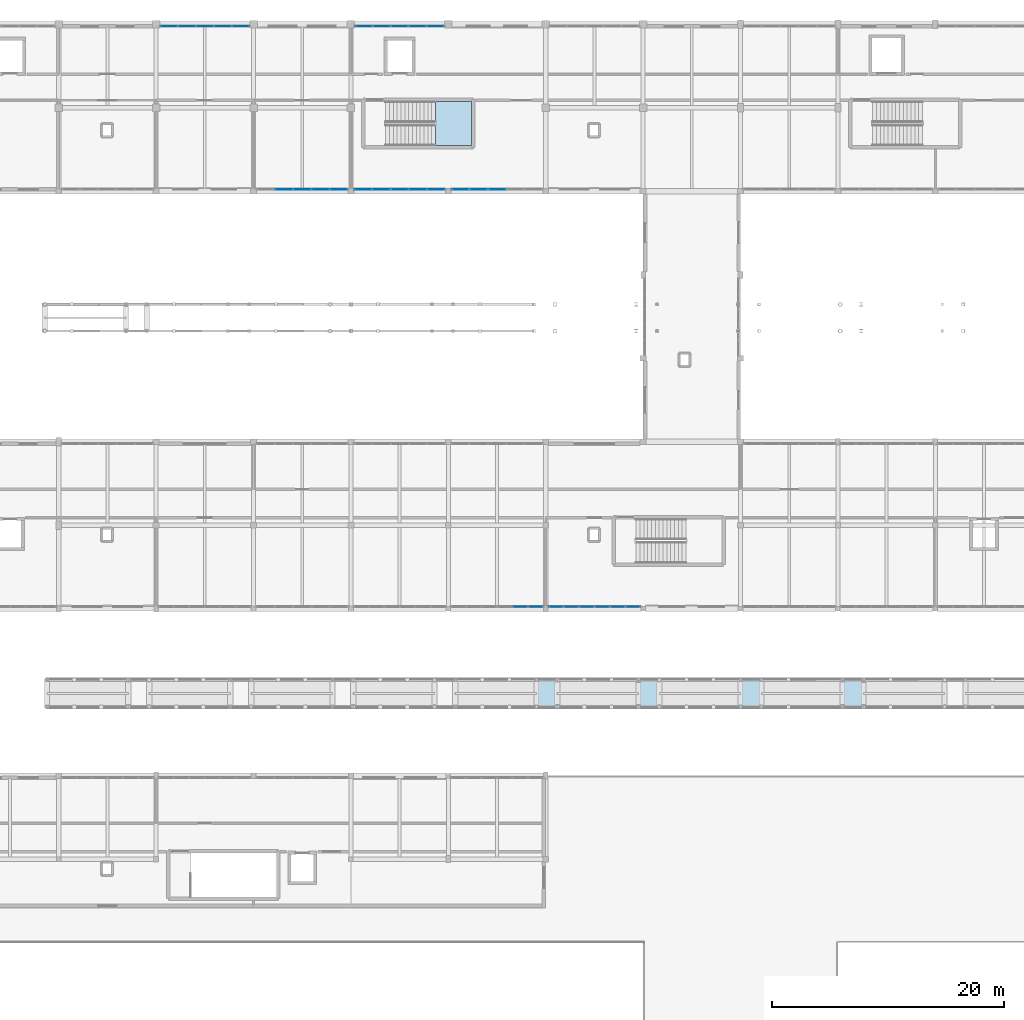
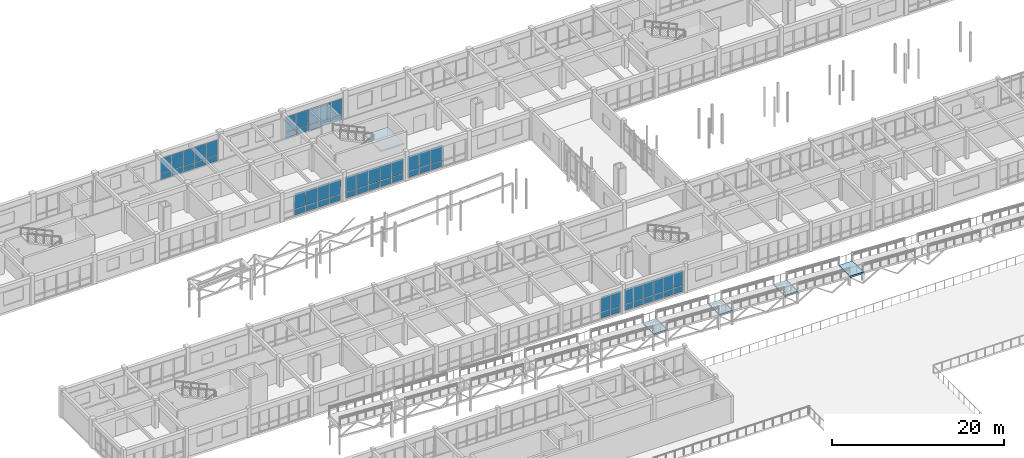
# One storey, part 64 of 89: 60 plates, 5 slabs, 9 elements without a shape of their own.
"""IFC4 building model written with IfcOpenShell, lengths in metres."""

import ifcopenshell
import ifcopenshell.guid

model = None  # the IFC model being written
_history = None  # IfcOwnerHistory: only IFC2X3 demands one
_inside = {}  # id of a spatial element -> (the spatial element, [elements in it])
_under = {}  # id of a project, library or spatial element -> (it, [spatial elements below it])
_declared = {}  # id of a project -> (the project, [libraries it declares])
_typed = {}  # id of a type object -> (the type object, [elements of that type])
_made_of = {}  # id of a material, layer set ... -> (it, [elements and type objects made of it])


def new_model(schema):
    """Start an empty IFC model of exactly this schema.

    Asked for "IFC4X3", IfcOpenShell would pick the latest addendum, in which some entities
    have other attributes; the version numbers below select the first issue.
    IFC2X3 requires an IfcOwnerHistory on every rooted entity: one is made here for all.
    """
    global model, _history
    if schema == "IFC4X3":
        model = ifcopenshell.file(schema_version=(4, 3, 0, 0))
    else:
        model = ifcopenshell.file(schema=schema)
    _inside.clear()
    _under.clear()
    _declared.clear()
    _typed.clear()
    _made_of.clear()
    _history = None
    if model.schema == "IFC2X3":
        org = make("IfcOrganization", Name="unknown")
        user = make(
            "IfcPersonAndOrganization",
            ThePerson=make("IfcPerson", FamilyName="unknown"),
            TheOrganization=org,
        )
        app = make(
            "IfcApplication",
            ApplicationDeveloper=org,
            Version="unknown",
            ApplicationFullName="unknown",
            ApplicationIdentifier="unknown",
        )
        _history = make(
            "IfcOwnerHistory",
            OwningUser=user,
            OwningApplication=app,
            ChangeAction="ADDED",
            CreationDate=0,
        )
    return model


def make(cls, **values):
    """One entity of the class cls with the attributes given. An attribute that is None is left unset."""
    return model.create_entity(
        cls, **{name: value for name, value in values.items() if value is not None}
    )


def rooted(cls, **values):
    """An entity with a GlobalId (a new one), such as an element, a storey or a relation."""
    return make(cls, GlobalId=ifcopenshell.guid.new(), OwnerHistory=_history, **values)


def si_unit(unit_type, name, prefix=None):
    """IfcSIUnit, for example si_unit("LENGTHUNIT", "METRE", prefix="MILLI")."""
    return make("IfcSIUnit", UnitType=unit_type, Prefix=prefix, Name=name)


def assignment(units):
    """IfcUnitAssignment: the units of a project."""
    return None if units is None else make("IfcUnitAssignment", Units=units)


def point(xyz):
    """IfcCartesianPoint."""
    return None if xyz is None else make("IfcCartesianPoint", Coordinates=xyz)


def direction(xyz):
    """IfcDirection."""
    return None if xyz is None else make("IfcDirection", DirectionRatios=xyz)


def frame(location, z_axis=None, x_axis=None):
    """IfcAxis2Placement3D, a coordinate frame: its origin and axes. An axis left out is left unset."""
    return make(
        "IfcAxis2Placement3D",
        Location=point(location),
        Axis=direction(z_axis),
        RefDirection=direction(x_axis),
    )


def frame_2d(location, x_axis=None):
    """IfcAxis2Placement2D, a coordinate frame in the plane: its origin and x axis."""
    return make(
        "IfcAxis2Placement2D", Location=point(location), RefDirection=direction(x_axis)
    )


def origin():
    """The frame at (0, 0, 0) with its axes left unset."""
    return frame((0.0, 0.0, 0.0))


def origin_2d():
    """The frame at (0, 0) in the plane with its x axis left unset."""
    return frame_2d((0.0, 0.0))


def place(relative_to, where):
    """IfcLocalPlacement: puts the frame where relative to a parent placement (None: the world)."""
    return make(
        "IfcLocalPlacement", PlacementRelTo=relative_to, RelativePlacement=where
    )


def context(
    kind, dimensions, precision=None, world=None, true_north=None, identifier=None
):
    """IfcGeometricRepresentationContext, for example the 3D "Model" context."""
    return make(
        "IfcGeometricRepresentationContext",
        ContextIdentifier=identifier,
        ContextType=kind,
        CoordinateSpaceDimension=dimensions,
        Precision=precision,
        WorldCoordinateSystem=world,
        TrueNorth=true_north,
    )


def subcontext(parent, identifier, kind, view, scale=None):
    """IfcGeometricRepresentationSubContext, for example "Body" below "Model"."""
    return make(
        "IfcGeometricRepresentationSubContext",
        ContextIdentifier=identifier,
        ContextType=kind,
        ParentContext=parent,
        TargetScale=scale,
        TargetView=view,
    )


def project(units=None, contexts=None):
    """IfcProject with its units and contexts."""
    return rooted(
        "IfcProject",
        Name="project",
        RepresentationContexts=contexts,
        UnitsInContext=assignment(units),
    )


def spatial(cls, under=None, at=None, **own):
    """A site, building, storey or space (cls), placed at a placement, below another one or the project."""
    s = rooted(cls, ObjectPlacement=at, **own)
    if under is not None:
        _under.setdefault(under.id(), (under, []))[1].append(s)
    return s


def polyline(points):
    """IfcPolyline through the points."""
    return make("IfcPolyline", Points=[point(p) for p in points])


def profile(cls, at=None, kind="AREA", **sizes):
    """A parametric profile (cls). Its sizes go by their IFC names, for example OverallWidth=200.0."""
    return make(cls, ProfileType=kind, Position=at, **sizes)


def rectangle(**sizes):
    """IfcRectangleProfileDef."""
    return profile("IfcRectangleProfileDef", **sizes)


def outline(outer, holes=None, kind="AREA"):
    """IfcArbitraryClosedProfileDef: a profile drawn as a closed curve; with holes, ...WithVoids."""
    if holes is None:
        return make("IfcArbitraryClosedProfileDef", ProfileType=kind, OuterCurve=outer)
    return make(
        "IfcArbitraryProfileDefWithVoids",
        ProfileType=kind,
        OuterCurve=outer,
        InnerCurves=holes,
    )


def extrude(swept, where, along, depth):
    """IfcExtrudedAreaSolid: the profile swept, set in the frame where, extruded along a direction by depth."""
    return make(
        "IfcExtrudedAreaSolid",
        SweptArea=swept,
        Position=where,
        ExtrudedDirection=direction(along),
        Depth=depth,
    )


def shape(context_of_items, identifier, shape_type, items):
    """IfcShapeRepresentation: the items that make up one representation, for example the "Body"."""
    return make(
        "IfcShapeRepresentation",
        ContextOfItems=context_of_items,
        RepresentationIdentifier=identifier,
        RepresentationType=shape_type,
        Items=items,
    )


def material(Name=None, Category=None):
    """IfcMaterial."""
    return make("IfcMaterial", Name=Name, Category=Category)


def layer(
    of_material, thickness, ventilated=None, Name=None, Category=None, Priority=None
):
    """IfcMaterialLayer: one layer of a wall or slab, of a material (None: an air gap)."""
    return make(
        "IfcMaterialLayer",
        Material=of_material,
        LayerThickness=thickness,
        IsVentilated=ventilated,
        Name=Name,
        Category=Category,
        Priority=Priority,
    )


def layer_set(layers, Name=None):
    """IfcMaterialLayerSet."""
    return make("IfcMaterialLayerSet", MaterialLayers=layers, LayerSetName=Name)


def made_of(thing, what):
    """Note that an element or type object is made of a material, layer set ...; save() writes the relation."""
    if what is not None:
        _made_of.setdefault(what.id(), (what, []))[1].append(thing)
    return thing


def type_object(cls, material=None, **own):
    """A type object (cls), such as IfcWallType, which elements share."""
    return made_of(rooted(cls, **own), material)


def element(
    cls,
    number,
    at=None,
    inside=None,
    cuts=None,
    type_object=None,
    material=None,
    context=None,
    identifier="Body",
    shape_type=None,
    held_by="IfcProductDefinitionShape",
    body=None,
    shapes=None,
    **own,
):
    """One element of the class cls, such as IfcWall. Its Tag is "e" and its number.

    at: its placement. inside: the storey or other place that contains it. cuts: it is an
    opening in that element (IfcRelVoidsElement). A single representation is given by context,
    identifier, shape_type and body (its items); several are given by shapes. held_by: the class
    of the entity that holds the representations. save() writes the other relations.
    """
    e = rooted(cls, Tag="e%d" % number, ObjectPlacement=at, **own)
    if body is not None:
        shapes = [shape(context, identifier, shape_type, body)]
    if shapes is not None:
        e.Representation = make(held_by, Representations=shapes)
    if inside is not None:
        _inside.setdefault(inside.id(), (inside, []))[1].append(e)
    if cuts is not None:
        rooted(
            "IfcRelVoidsElement", RelatingBuildingElement=cuts, RelatedOpeningElement=e
        )
    if type_object is not None:
        _typed.setdefault(type_object.id(), (type_object, []))[1].append(e)
    return made_of(e, material)


def aggregate(whole, parts):
    """IfcRelAggregates: a whole, such as a stair, and the parts it consists of."""
    return rooted("IfcRelAggregates", RelatingObject=whole, RelatedObjects=parts)


def save(model, path):
    """Write the relations noted so far, then the file.

    IfcRelAggregates (storeys below a building ...), IfcRelContainedInSpatialStructure (elements
    in a storey), IfcRelDefinesByType, IfcRelAssociatesMaterial and IfcRelDeclares: one each for
    every whole, place, type object, material and project.
    """
    for whole, parts in _under.values():
        aggregate(whole, parts)
    for where, things in _inside.values():
        rooted(
            "IfcRelContainedInSpatialStructure",
            RelatedElements=things,
            RelatingStructure=where,
        )
    for kind, things in _typed.values():
        rooted("IfcRelDefinesByType", RelatedObjects=things, RelatingType=kind)
    for what, things in _made_of.values():
        rooted("IfcRelAssociatesMaterial", RelatedObjects=things, RelatingMaterial=what)
    for by, libraries in _declared.values():
        rooted("IfcRelDeclares", RelatingContext=by, RelatedDefinitions=libraries)
    model.write(path)


model = new_model("IFC4")

# Units and contexts
model_context = context("Model", 3, precision=1e-05, world=origin(), true_north=direction((0.0, 1.0)))
body_context = subcontext(model_context, "Body", "Model", "MODEL_VIEW")
ifc_project = project(units=[si_unit("LENGTHUNIT", "METRE"), si_unit("AREAUNIT", "SQUARE_METRE"), si_unit("VOLUMEUNIT", "CUBIC_METRE"), si_unit("PLANEANGLEUNIT", "RADIAN"), si_unit("MASSUNIT", "GRAM", prefix="KILO")], contexts=[model_context])

# Site, building, storey
site_placement = place(None, origin())
site = spatial("IfcSite", under=ifc_project, at=site_placement, CompositionType="ELEMENT")
building_placement = place(site_placement, origin())
building = spatial("IfcBuilding", under=site, at=building_placement, Name="Malvenik Polytechnic", CompositionType="ELEMENT")
storey_placement = place(building_placement, frame((0.0, 0.0, 13.5)))
storey = spatial("IfcBuildingStorey", under=building, at=storey_placement, Name="L03", CompositionType="ELEMENT", Elevation=13.5)

# Curtain wall, plates
ifc_material_1 = material(Name="Anodised aluminium 6060-T6", Category="aluminium")
curtain_wall_type = type_object("IfcCurtainWallType", Name="ARC-CW-CW-02", PredefinedType="NOTDEFINED", material=ifc_material_1)
curtain_wall_1_placement = place(storey_placement, origin())
curtain_wall_1 = element("IfcCurtainWall", 1, at=curtain_wall_1_placement, inside=storey, type_object=curtain_wall_type, Name="Unitised Curtain Wall CW-02 L03 #168", PredefinedType="NOTDEFINED")
ifc_material_2 = material(Name="Insulated low-E double glazing 8-16-8", Category="glass")
ifc_layer_1 = layer(ifc_material_2, 0.028076171875)
ifc_layer_set_1 = layer_set([ifc_layer_1], Name="Insulated low-E double glazing 8-16-8")
plate_type_1 = type_object("IfcPlateType", Name="ARC-CWP-CP-GLZ28", PredefinedType="CURTAIN_PANEL", material=ifc_layer_set_1)
plate_1_placement = place(storey_placement, frame((63.0, 115.3701171875, 0.929931640625), z_axis=(0.0, 0.0, 1.0), x_axis=(-1.0, 0.0, 0.0)))
plate_1 = element("IfcPlate", 2, at=plate_1_placement, type_object=plate_type_1, Name="CW-02 panel 3.2", PredefinedType="CURTAIN_PANEL", context=body_context, shape_type="SweptSolid", body=[
    extrude(rectangle(XDim=1.520751953125, YDim=0.028076171875, at=origin_2d()), origin(), (0.0, 0.0, 1.0), 2.169921875),
])
plate_2_placement = place(storey_placement, frame((61.419189453125, 115.3701171875, 0.929931640625), z_axis=(0.0, 0.0, 1.0), x_axis=(-1.0, 0.0, 0.0)))
plate_2 = element("IfcPlate", 3, at=plate_2_placement, type_object=plate_type_1, Name="CW-02 panel 4.2", PredefinedType="CURTAIN_PANEL", context=body_context, shape_type="SweptSolid", body=[
    extrude(rectangle(XDim=1.520751953125, YDim=0.028076171875, at=origin_2d()), origin(), (0.0, 0.0, 1.0), 2.169921875),
])
plate_3_placement = place(storey_placement, frame((59.853515625, 115.3701171875, 0.929931640625), z_axis=(0.0, 0.0, 1.0), x_axis=(-1.0, 0.0, 0.0)))
plate_3 = element("IfcPlate", 4, at=plate_3_placement, type_object=plate_type_1, Name="CW-02 panel 5.2", PredefinedType="CURTAIN_PANEL", context=body_context, shape_type="SweptSolid", body=[
    extrude(rectangle(XDim=1.49072265625, YDim=0.028076171875, at=origin_2d()), origin(), (0.0, 0.0, 1.0), 2.169921875),
])

curtain_wall_2_placement = place(storey_placement, origin())
curtain_wall_2 = element("IfcCurtainWall", 5, at=curtain_wall_2_placement, inside=storey, type_object=curtain_wall_type, Name="Unitised Curtain Wall CW-02 L03 #169", PredefinedType="NOTDEFINED")
plate_4_placement = place(storey_placement, frame((57.74658203125, 115.3701171875, 0.929931640625), z_axis=(0.0, 0.0, 1.0), x_axis=(-1.0, 0.0, 0.0)))
plate_4 = element("IfcPlate", 6, at=plate_4_placement, type_object=plate_type_1, Name="CW-02 panel 1.2", PredefinedType="CURTAIN_PANEL", context=body_context, shape_type="SweptSolid", body=[
    extrude(rectangle(XDim=1.49072265625, YDim=0.028076171875, at=origin_2d()), origin(), (0.0, 0.0, 1.0), 2.169921875),
])
plate_5_placement = place(storey_placement, frame((56.180908203125, 115.3701171875, 0.929931640625), z_axis=(0.0, 0.0, 1.0), x_axis=(-1.0, 0.0, 0.0)))
plate_5 = element("IfcPlate", 7, at=plate_5_placement, type_object=plate_type_1, Name="CW-02 panel 2.2", PredefinedType="CURTAIN_PANEL", context=body_context, shape_type="SweptSolid", body=[
    extrude(rectangle(XDim=1.520751953125, YDim=0.028076171875, at=origin_2d()), origin(), (0.0, 0.0, 1.0), 2.169921875),
])
plate_6_placement = place(storey_placement, frame((54.60009765625, 115.3701171875, 0.929931640625), z_axis=(0.0, 0.0, 1.0), x_axis=(-1.0, 0.0, 0.0)))
plate_6 = element("IfcPlate", 8, at=plate_6_placement, type_object=plate_type_1, Name="CW-02 panel 3.2", PredefinedType="CURTAIN_PANEL", context=body_context, shape_type="SweptSolid", body=[
    extrude(rectangle(XDim=1.520751953125, YDim=0.028076171875, at=origin_2d()), origin(), (0.0, 0.0, 1.0), 2.169921875),
])
plate_7_placement = place(storey_placement, frame((53.019287109375, 115.3701171875, 0.929931640625), z_axis=(0.0, 0.0, 1.0), x_axis=(-1.0, 0.0, 0.0)))
plate_7 = element("IfcPlate", 9, at=plate_7_placement, type_object=plate_type_1, Name="CW-02 panel 4.2", PredefinedType="CURTAIN_PANEL", context=body_context, shape_type="SweptSolid", body=[
    extrude(rectangle(XDim=1.520751953125, YDim=0.028076171875, at=origin_2d()), origin(), (0.0, 0.0, 1.0), 2.169921875),
])
plate_8_placement = place(storey_placement, frame((51.453369140625, 115.3701171875, 0.929931640625), z_axis=(0.0, 0.0, 1.0), x_axis=(-1.0, 0.0, 0.0)))
plate_8 = element("IfcPlate", 10, at=plate_8_placement, type_object=plate_type_1, Name="CW-02 panel 5.2", PredefinedType="CURTAIN_PANEL", context=body_context, shape_type="SweptSolid", body=[
    extrude(rectangle(XDim=1.49072265625, YDim=0.028076171875, at=origin_2d()), origin(), (0.0, 0.0, 1.0), 2.169921875),
])

curtain_wall_3_placement = place(storey_placement, origin())
curtain_wall_3 = element("IfcCurtainWall", 11, at=curtain_wall_3_placement, inside=storey, type_object=curtain_wall_type, Name="Unitised Curtain Wall CW-02 L03 #170", PredefinedType="NOTDEFINED")
plate_9_placement = place(storey_placement, frame((49.3466796875, 115.3701171875, 0.929931640625), z_axis=(0.0, 0.0, 1.0), x_axis=(-1.0, 0.0, 0.0)))
plate_9 = element("IfcPlate", 12, at=plate_9_placement, type_object=plate_type_1, Name="CW-02 panel 1.2", PredefinedType="CURTAIN_PANEL", context=body_context, shape_type="SweptSolid", body=[
    extrude(rectangle(XDim=1.49072265625, YDim=0.028076171875, at=origin_2d()), origin(), (0.0, 0.0, 1.0), 2.169921875),
])
plate_10_placement = place(storey_placement, frame((47.78076171875, 115.3701171875, 0.929931640625), z_axis=(0.0, 0.0, 1.0), x_axis=(-1.0, 0.0, 0.0)))
plate_10 = element("IfcPlate", 13, at=plate_10_placement, type_object=plate_type_1, Name="CW-02 panel 2.2", PredefinedType="CURTAIN_PANEL", context=body_context, shape_type="SweptSolid", body=[
    extrude(rectangle(XDim=1.520751953125, YDim=0.028076171875, at=origin_2d()), origin(), (0.0, 0.0, 1.0), 2.169921875),
])
plate_11_placement = place(storey_placement, frame((46.199951171875, 115.3701171875, 0.929931640625), z_axis=(0.0, 0.0, 1.0), x_axis=(-1.0, 0.0, 0.0)))
plate_11 = element("IfcPlate", 14, at=plate_11_placement, type_object=plate_type_1, Name="CW-02 panel 3.2", PredefinedType="CURTAIN_PANEL", context=body_context, shape_type="SweptSolid", body=[
    extrude(rectangle(XDim=1.520751953125, YDim=0.028076171875, at=origin_2d()), origin(), (0.0, 0.0, 1.0), 2.169921875),
])
plate_12_placement = place(storey_placement, frame((44.619140625, 115.3701171875, 0.929931640625), z_axis=(0.0, 0.0, 1.0), x_axis=(-1.0, 0.0, 0.0)))
plate_12 = element("IfcPlate", 15, at=plate_12_placement, type_object=plate_type_1, Name="CW-02 panel 4.2", PredefinedType="CURTAIN_PANEL", context=body_context, shape_type="SweptSolid", body=[
    extrude(rectangle(XDim=1.520751953125, YDim=0.028076171875, at=origin_2d()), origin(), (0.0, 0.0, 1.0), 2.169921875),
])

curtain_wall_4_placement = place(storey_placement, origin())
curtain_wall_4 = element("IfcCurtainWall", 16, at=curtain_wall_4_placement, inside=storey, type_object=curtain_wall_type, Name="Unitised Curtain Wall CW-02 L03 #176", PredefinedType="NOTDEFINED")
plate_13_placement = place(storey_placement, frame((34.71337890625, 129.429931640625, 0.929931640625), z_axis=(0.0, 0.0, 1.0), x_axis=(1.0, 0.0, 0.0)))
plate_13 = element("IfcPlate", 17, at=plate_13_placement, type_object=plate_type_1, Name="CW-02 panel 1.2", PredefinedType="CURTAIN_PANEL", context=body_context, shape_type="SweptSolid", body=[
    extrude(rectangle(XDim=1.460693359375, YDim=0.028076171875, at=origin_2d()), origin(), (0.0, 0.0, 1.0), 2.169921875),
])
plate_14_placement = place(storey_placement, frame((36.249267578125, 129.429931640625, 0.929931640625), z_axis=(0.0, 0.0, 1.0), x_axis=(1.0, 0.0, 0.0)))
plate_14 = element("IfcPlate", 18, at=plate_14_placement, type_object=plate_type_1, Name="CW-02 panel 2.2", PredefinedType="CURTAIN_PANEL", context=body_context, shape_type="SweptSolid", body=[
    extrude(rectangle(XDim=1.49072265625, YDim=0.028076171875, at=origin_2d()), origin(), (0.0, 0.0, 1.0), 2.169921875),
])
plate_15_placement = place(storey_placement, frame((37.800048828125, 129.429931640625, 0.929931640625), z_axis=(0.0, 0.0, 1.0), x_axis=(1.0, 0.0, 0.0)))
plate_15 = element("IfcPlate", 19, at=plate_15_placement, type_object=plate_type_1, Name="CW-02 panel 3.2", PredefinedType="CURTAIN_PANEL", context=body_context, shape_type="SweptSolid", body=[
    extrude(rectangle(XDim=1.49072265625, YDim=0.028076171875, at=origin_2d()), origin(), (0.0, 0.0, 1.0), 2.169921875),
])
plate_16_placement = place(storey_placement, frame((39.350830078125, 129.429931640625, 0.929931640625), z_axis=(0.0, 0.0, 1.0), x_axis=(1.0, 0.0, 0.0)))
plate_16 = element("IfcPlate", 20, at=plate_16_placement, type_object=plate_type_1, Name="CW-02 panel 4.2", PredefinedType="CURTAIN_PANEL", context=body_context, shape_type="SweptSolid", body=[
    extrude(rectangle(XDim=1.49072265625, YDim=0.028076171875, at=origin_2d()), origin(), (0.0, 0.0, 1.0), 2.169921875),
])
plate_17_placement = place(storey_placement, frame((40.88671875, 129.429931640625, 0.929931640625), z_axis=(0.0, 0.0, 1.0), x_axis=(1.0, 0.0, 0.0)))
plate_17 = element("IfcPlate", 21, at=plate_17_placement, type_object=plate_type_1, Name="CW-02 panel 5.2", PredefinedType="CURTAIN_PANEL", context=body_context, shape_type="SweptSolid", body=[
    extrude(rectangle(XDim=1.460693359375, YDim=0.028076171875, at=origin_2d()), origin(), (0.0, 0.0, 1.0), 2.169921875),
])

curtain_wall_5_placement = place(storey_placement, origin())
curtain_wall_5 = element("IfcCurtainWall", 22, at=curtain_wall_5_placement, inside=storey, type_object=curtain_wall_type, Name="Unitised Curtain Wall CW-02 L03 #177", PredefinedType="NOTDEFINED")
plate_18_placement = place(storey_placement, frame((51.513427734375, 129.429931640625, 0.929931640625), z_axis=(0.0, 0.0, 1.0), x_axis=(1.0, 0.0, 0.0)))
plate_18 = element("IfcPlate", 23, at=plate_18_placement, type_object=plate_type_1, Name="CW-02 panel 1.2", PredefinedType="CURTAIN_PANEL", context=body_context, shape_type="SweptSolid", body=[
    extrude(rectangle(XDim=1.460693359375, YDim=0.028076171875, at=origin_2d()), origin(), (0.0, 0.0, 1.0), 2.169921875),
])
plate_19_placement = place(storey_placement, frame((53.04931640625, 129.429931640625, 0.929931640625), z_axis=(0.0, 0.0, 1.0), x_axis=(1.0, 0.0, 0.0)))
plate_19 = element("IfcPlate", 24, at=plate_19_placement, type_object=plate_type_1, Name="CW-02 panel 2.2", PredefinedType="CURTAIN_PANEL", context=body_context, shape_type="SweptSolid", body=[
    extrude(rectangle(XDim=1.49072265625, YDim=0.028076171875, at=origin_2d()), origin(), (0.0, 0.0, 1.0), 2.169921875),
])
plate_20_placement = place(storey_placement, frame((54.60009765625, 129.429931640625, 0.929931640625), z_axis=(0.0, 0.0, 1.0), x_axis=(1.0, 0.0, 0.0)))
plate_20 = element("IfcPlate", 25, at=plate_20_placement, type_object=plate_type_1, Name="CW-02 panel 3.2", PredefinedType="CURTAIN_PANEL", context=body_context, shape_type="SweptSolid", body=[
    extrude(rectangle(XDim=1.49072265625, YDim=0.028076171875, at=origin_2d()), origin(), (0.0, 0.0, 1.0), 2.169921875),
])
plate_21_placement = place(storey_placement, frame((56.15087890625, 129.429931640625, 0.929931640625), z_axis=(0.0, 0.0, 1.0), x_axis=(1.0, 0.0, 0.0)))
plate_21 = element("IfcPlate", 26, at=plate_21_placement, type_object=plate_type_1, Name="CW-02 panel 4.2", PredefinedType="CURTAIN_PANEL", context=body_context, shape_type="SweptSolid", body=[
    extrude(rectangle(XDim=1.49072265625, YDim=0.028076171875, at=origin_2d()), origin(), (0.0, 0.0, 1.0), 2.169921875),
])
plate_22_placement = place(storey_placement, frame((57.6865234375, 129.429931640625, 0.929931640625), z_axis=(0.0, 0.0, 1.0), x_axis=(1.0, 0.0, 0.0)))
plate_22 = element("IfcPlate", 27, at=plate_22_placement, type_object=plate_type_1, Name="CW-02 panel 5.2", PredefinedType="CURTAIN_PANEL", context=body_context, shape_type="SweptSolid", body=[
    extrude(rectangle(XDim=1.460693359375, YDim=0.028076171875, at=origin_2d()), origin(), (0.0, 0.0, 1.0), 2.169921875),
])

curtain_wall_6_placement = place(storey_placement, origin())
curtain_wall_6 = element("IfcCurtainWall", 28, at=curtain_wall_6_placement, inside=storey, type_object=curtain_wall_type, Name="Unitised Curtain Wall CW-02 L03 #198", PredefinedType="NOTDEFINED")
plate_23_placement = place(storey_placement, frame((74.719970703125, 79.3701171875, 0.929931640625), z_axis=(0.0, 0.0, 1.0), x_axis=(-1.0, 0.0, 0.0)))
plate_23 = element("IfcPlate", 29, at=plate_23_placement, type_object=plate_type_1, Name="CW-02 panel 1.2", PredefinedType="CURTAIN_PANEL", context=body_context, shape_type="SweptSolid", body=[
    extrude(rectangle(XDim=1.243896484375, YDim=0.028076171875, at=origin_2d()), origin(), (0.0, 0.0, 1.0), 2.169921875),
])
plate_24_placement = place(storey_placement, frame((73.40087890625, 79.3701171875, 0.929931640625), z_axis=(0.0, 0.0, 1.0), x_axis=(-1.0, 0.0, 0.0)))
plate_24 = element("IfcPlate", 30, at=plate_24_placement, type_object=plate_type_1, Name="CW-02 panel 2.2", PredefinedType="CURTAIN_PANEL", context=body_context, shape_type="SweptSolid", body=[
    extrude(rectangle(XDim=1.27392578125, YDim=0.028076171875, at=origin_2d()), origin(), (0.0, 0.0, 1.0), 2.169921875),
])
plate_25_placement = place(storey_placement, frame((72.06689453125, 79.3701171875, 0.929931640625), z_axis=(0.0, 0.0, 1.0), x_axis=(-1.0, 0.0, 0.0)))
plate_25 = element("IfcPlate", 31, at=plate_25_placement, type_object=plate_type_1, Name="CW-02 panel 3.2", PredefinedType="CURTAIN_PANEL", context=body_context, shape_type="SweptSolid", body=[
    extrude(rectangle(XDim=1.27392578125, YDim=0.028076171875, at=origin_2d()), origin(), (0.0, 0.0, 1.0), 2.169921875),
])
plate_26_placement = place(storey_placement, frame((70.73291015625, 79.3701171875, 0.929931640625), z_axis=(0.0, 0.0, 1.0), x_axis=(-1.0, 0.0, 0.0)))
plate_26 = element("IfcPlate", 32, at=plate_26_placement, type_object=plate_type_1, Name="CW-02 panel 4.2", PredefinedType="CURTAIN_PANEL", context=body_context, shape_type="SweptSolid", body=[
    extrude(rectangle(XDim=1.27392578125, YDim=0.028076171875, at=origin_2d()), origin(), (0.0, 0.0, 1.0), 2.169921875),
])
plate_27_placement = place(storey_placement, frame((69.39892578125, 79.3701171875, 0.929931640625), z_axis=(0.0, 0.0, 1.0), x_axis=(-1.0, 0.0, 0.0)))
plate_27 = element("IfcPlate", 33, at=plate_27_placement, type_object=plate_type_1, Name="CW-02 panel 5.2", PredefinedType="CURTAIN_PANEL", context=body_context, shape_type="SweptSolid", body=[
    extrude(rectangle(XDim=1.27392578125, YDim=0.028076171875, at=origin_2d()), origin(), (0.0, 0.0, 1.0), 2.169921875),
])
plate_28_placement = place(storey_placement, frame((68.080078125, 79.3701171875, 0.929931640625), z_axis=(0.0, 0.0, 1.0), x_axis=(-1.0, 0.0, 0.0)))
plate_28 = element("IfcPlate", 34, at=plate_28_placement, type_object=plate_type_1, Name="CW-02 panel 6.2", PredefinedType="CURTAIN_PANEL", context=body_context, shape_type="SweptSolid", body=[
    extrude(rectangle(XDim=1.243896484375, YDim=0.028076171875, at=origin_2d()), origin(), (0.0, 0.0, 1.0), 2.169921875),
])

curtain_wall_7_placement = place(storey_placement, origin())
curtain_wall_7 = element("IfcCurtainWall", 35, at=curtain_wall_7_placement, inside=storey, type_object=curtain_wall_type, Name="Unitised Curtain Wall CW-02 L03 #199", PredefinedType="NOTDEFINED")
plate_29_placement = place(storey_placement, frame((66.320068359375, 79.3701171875, 0.929931640625), z_axis=(0.0, 0.0, 1.0), x_axis=(-1.0, 0.0, 0.0)))
plate_29 = element("IfcPlate", 36, at=plate_29_placement, type_object=plate_type_1, Name="CW-02 panel 1.2", PredefinedType="CURTAIN_PANEL", context=body_context, shape_type="SweptSolid", body=[
    extrude(rectangle(XDim=1.243896484375, YDim=0.028076171875, at=origin_2d()), origin(), (0.0, 0.0, 1.0), 2.169921875),
])
plate_30_placement = place(storey_placement, frame((65.0009765625, 79.3701171875, 0.929931640625), z_axis=(0.0, 0.0, 1.0), x_axis=(-1.0, 0.0, 0.0)))
plate_30 = element("IfcPlate", 37, at=plate_30_placement, type_object=plate_type_1, Name="CW-02 panel 2.2", PredefinedType="CURTAIN_PANEL", context=body_context, shape_type="SweptSolid", body=[
    extrude(rectangle(XDim=1.27392578125, YDim=0.028076171875, at=origin_2d()), origin(), (0.0, 0.0, 1.0), 2.169921875),
])

# Plate
ifc_material_3 = material(Name="Insulated aluminium spandrel cassette 42mm", Category="aluminium")
ifc_layer_2 = layer(ifc_material_3, 0.0419921875)
ifc_layer_set_2 = layer_set([ifc_layer_2], Name="Insulated aluminium spandrel cassette 42mm")
plate_type_2 = type_object("IfcPlateType", Name="ARC-CWP-CP-SPN42", PredefinedType="CURTAIN_PANEL", material=ifc_layer_set_2)
plate_31_placement = place(storey_placement, frame((63.0, 115.3701171875, 0.06005859375), z_axis=(0.0, 0.0, 1.0), x_axis=(-1.0, 0.0, 0.0)))
plate_31 = element("IfcPlate", 38, at=plate_31_placement, type_object=plate_type_2, Name="CW-02 panel 3.1", PredefinedType="CURTAIN_PANEL", context=body_context, shape_type="SweptSolid", body=[
    extrude(rectangle(XDim=1.520751953125, YDim=0.028076171875, at=origin_2d()), origin(), (0.0, 0.0, 1.0), 0.81005859375),
])

plate_32_placement = place(storey_placement, frame((61.419189453125, 115.3701171875, 0.06005859375), z_axis=(0.0, 0.0, 1.0), x_axis=(-1.0, 0.0, 0.0)))
plate_32 = element("IfcPlate", 39, at=plate_32_placement, type_object=plate_type_2, Name="CW-02 panel 4.1", PredefinedType="CURTAIN_PANEL", context=body_context, shape_type="SweptSolid", body=[
    extrude(rectangle(XDim=1.520751953125, YDim=0.028076171875, at=origin_2d()), origin(), (0.0, 0.0, 1.0), 0.81005859375),
])

plate_33_placement = place(storey_placement, frame((59.853515625, 115.3701171875, 0.06005859375), z_axis=(0.0, 0.0, 1.0), x_axis=(-1.0, 0.0, 0.0)))
plate_33 = element("IfcPlate", 40, at=plate_33_placement, type_object=plate_type_2, Name="CW-02 panel 5.1", PredefinedType="CURTAIN_PANEL", context=body_context, shape_type="SweptSolid", body=[
    extrude(rectangle(XDim=1.49072265625, YDim=0.028076171875, at=origin_2d()), origin(), (0.0, 0.0, 1.0), 0.81005859375),
])

aggregate(curtain_wall_1, [plate_31, plate_1, plate_32, plate_2, plate_33, plate_3])

plate_34_placement = place(storey_placement, frame((57.74658203125, 115.3701171875, 0.06005859375), z_axis=(0.0, 0.0, 1.0), x_axis=(-1.0, 0.0, 0.0)))
plate_34 = element("IfcPlate", 41, at=plate_34_placement, type_object=plate_type_2, Name="CW-02 panel 1.1", PredefinedType="CURTAIN_PANEL", context=body_context, shape_type="SweptSolid", body=[
    extrude(rectangle(XDim=1.49072265625, YDim=0.028076171875, at=origin_2d()), origin(), (0.0, 0.0, 1.0), 0.81005859375),
])

plate_35_placement = place(storey_placement, frame((56.180908203125, 115.3701171875, 0.06005859375), z_axis=(0.0, 0.0, 1.0), x_axis=(-1.0, 0.0, 0.0)))
plate_35 = element("IfcPlate", 42, at=plate_35_placement, type_object=plate_type_2, Name="CW-02 panel 2.1", PredefinedType="CURTAIN_PANEL", context=body_context, shape_type="SweptSolid", body=[
    extrude(rectangle(XDim=1.520751953125, YDim=0.028076171875, at=origin_2d()), origin(), (0.0, 0.0, 1.0), 0.81005859375),
])

plate_36_placement = place(storey_placement, frame((54.60009765625, 115.3701171875, 0.06005859375), z_axis=(0.0, 0.0, 1.0), x_axis=(-1.0, 0.0, 0.0)))
plate_36 = element("IfcPlate", 43, at=plate_36_placement, type_object=plate_type_2, Name="CW-02 panel 3.1", PredefinedType="CURTAIN_PANEL", context=body_context, shape_type="SweptSolid", body=[
    extrude(rectangle(XDim=1.520751953125, YDim=0.028076171875, at=origin_2d()), origin(), (0.0, 0.0, 1.0), 0.81005859375),
])

plate_37_placement = place(storey_placement, frame((53.019287109375, 115.3701171875, 0.06005859375), z_axis=(0.0, 0.0, 1.0), x_axis=(-1.0, 0.0, 0.0)))
plate_37 = element("IfcPlate", 44, at=plate_37_placement, type_object=plate_type_2, Name="CW-02 panel 4.1", PredefinedType="CURTAIN_PANEL", context=body_context, shape_type="SweptSolid", body=[
    extrude(rectangle(XDim=1.520751953125, YDim=0.028076171875, at=origin_2d()), origin(), (0.0, 0.0, 1.0), 0.81005859375),
])

plate_38_placement = place(storey_placement, frame((51.453369140625, 115.3701171875, 0.06005859375), z_axis=(0.0, 0.0, 1.0), x_axis=(-1.0, 0.0, 0.0)))
plate_38 = element("IfcPlate", 45, at=plate_38_placement, type_object=plate_type_2, Name="CW-02 panel 5.1", PredefinedType="CURTAIN_PANEL", context=body_context, shape_type="SweptSolid", body=[
    extrude(rectangle(XDim=1.49072265625, YDim=0.028076171875, at=origin_2d()), origin(), (0.0, 0.0, 1.0), 0.81005859375),
])

aggregate(curtain_wall_2, [plate_34, plate_4, plate_35, plate_5, plate_36, plate_6, plate_37, plate_7, plate_38, plate_8])

plate_39_placement = place(storey_placement, frame((49.3466796875, 115.3701171875, 0.06005859375), z_axis=(0.0, 0.0, 1.0), x_axis=(-1.0, 0.0, 0.0)))
plate_39 = element("IfcPlate", 46, at=plate_39_placement, type_object=plate_type_2, Name="CW-02 panel 1.1", PredefinedType="CURTAIN_PANEL", context=body_context, shape_type="SweptSolid", body=[
    extrude(rectangle(XDim=1.49072265625, YDim=0.028076171875, at=origin_2d()), origin(), (0.0, 0.0, 1.0), 0.81005859375),
])

plate_40_placement = place(storey_placement, frame((47.78076171875, 115.3701171875, 0.06005859375), z_axis=(0.0, 0.0, 1.0), x_axis=(-1.0, 0.0, 0.0)))
plate_40 = element("IfcPlate", 47, at=plate_40_placement, type_object=plate_type_2, Name="CW-02 panel 2.1", PredefinedType="CURTAIN_PANEL", context=body_context, shape_type="SweptSolid", body=[
    extrude(rectangle(XDim=1.520751953125, YDim=0.028076171875, at=origin_2d()), origin(), (0.0, 0.0, 1.0), 0.81005859375),
])

plate_41_placement = place(storey_placement, frame((46.199951171875, 115.3701171875, 0.06005859375), z_axis=(0.0, 0.0, 1.0), x_axis=(-1.0, 0.0, 0.0)))
plate_41 = element("IfcPlate", 48, at=plate_41_placement, type_object=plate_type_2, Name="CW-02 panel 3.1", PredefinedType="CURTAIN_PANEL", context=body_context, shape_type="SweptSolid", body=[
    extrude(rectangle(XDim=1.520751953125, YDim=0.028076171875, at=origin_2d()), origin(), (0.0, 0.0, 1.0), 0.81005859375),
])

plate_42_placement = place(storey_placement, frame((44.619140625, 115.3701171875, 0.06005859375), z_axis=(0.0, 0.0, 1.0), x_axis=(-1.0, 0.0, 0.0)))
plate_42 = element("IfcPlate", 49, at=plate_42_placement, type_object=plate_type_2, Name="CW-02 panel 4.1", PredefinedType="CURTAIN_PANEL", context=body_context, shape_type="SweptSolid", body=[
    extrude(rectangle(XDim=1.520751953125, YDim=0.028076171875, at=origin_2d()), origin(), (0.0, 0.0, 1.0), 0.81005859375),
])

aggregate(curtain_wall_3, [plate_39, plate_9, plate_40, plate_10, plate_41, plate_11, plate_42, plate_12])

plate_43_placement = place(storey_placement, frame((34.71337890625, 129.429931640625, 0.06005859375), z_axis=(0.0, 0.0, 1.0), x_axis=(1.0, 0.0, 0.0)))
plate_43 = element("IfcPlate", 50, at=plate_43_placement, type_object=plate_type_2, Name="CW-02 panel 1.1", PredefinedType="CURTAIN_PANEL", context=body_context, shape_type="SweptSolid", body=[
    extrude(rectangle(XDim=1.460693359375, YDim=0.028076171875, at=origin_2d()), origin(), (0.0, 0.0, 1.0), 0.81005859375),
])

plate_44_placement = place(storey_placement, frame((36.249267578125, 129.429931640625, 0.06005859375), z_axis=(0.0, 0.0, 1.0), x_axis=(1.0, 0.0, 0.0)))
plate_44 = element("IfcPlate", 51, at=plate_44_placement, type_object=plate_type_2, Name="CW-02 panel 2.1", PredefinedType="CURTAIN_PANEL", context=body_context, shape_type="SweptSolid", body=[
    extrude(rectangle(XDim=1.49072265625, YDim=0.028076171875, at=origin_2d()), origin(), (0.0, 0.0, 1.0), 0.81005859375),
])

plate_45_placement = place(storey_placement, frame((37.800048828125, 129.429931640625, 0.06005859375), z_axis=(0.0, 0.0, 1.0), x_axis=(1.0, 0.0, 0.0)))
plate_45 = element("IfcPlate", 52, at=plate_45_placement, type_object=plate_type_2, Name="CW-02 panel 3.1", PredefinedType="CURTAIN_PANEL", context=body_context, shape_type="SweptSolid", body=[
    extrude(rectangle(XDim=1.49072265625, YDim=0.028076171875, at=origin_2d()), origin(), (0.0, 0.0, 1.0), 0.81005859375),
])

plate_46_placement = place(storey_placement, frame((39.350830078125, 129.429931640625, 0.06005859375), z_axis=(0.0, 0.0, 1.0), x_axis=(1.0, 0.0, 0.0)))
plate_46 = element("IfcPlate", 53, at=plate_46_placement, type_object=plate_type_2, Name="CW-02 panel 4.1", PredefinedType="CURTAIN_PANEL", context=body_context, shape_type="SweptSolid", body=[
    extrude(rectangle(XDim=1.49072265625, YDim=0.028076171875, at=origin_2d()), origin(), (0.0, 0.0, 1.0), 0.81005859375),
])

plate_47_placement = place(storey_placement, frame((40.88671875, 129.429931640625, 0.06005859375), z_axis=(0.0, 0.0, 1.0), x_axis=(1.0, 0.0, 0.0)))
plate_47 = element("IfcPlate", 54, at=plate_47_placement, type_object=plate_type_2, Name="CW-02 panel 5.1", PredefinedType="CURTAIN_PANEL", context=body_context, shape_type="SweptSolid", body=[
    extrude(rectangle(XDim=1.460693359375, YDim=0.028076171875, at=origin_2d()), origin(), (0.0, 0.0, 1.0), 0.81005859375),
])

aggregate(curtain_wall_4, [plate_43, plate_13, plate_44, plate_14, plate_45, plate_15, plate_46, plate_16, plate_47, plate_17])

plate_48_placement = place(storey_placement, frame((51.513427734375, 129.429931640625, 0.06005859375), z_axis=(0.0, 0.0, 1.0), x_axis=(1.0, 0.0, 0.0)))
plate_48 = element("IfcPlate", 55, at=plate_48_placement, type_object=plate_type_2, Name="CW-02 panel 1.1", PredefinedType="CURTAIN_PANEL", context=body_context, shape_type="SweptSolid", body=[
    extrude(rectangle(XDim=1.460693359375, YDim=0.028076171875, at=origin_2d()), origin(), (0.0, 0.0, 1.0), 0.81005859375),
])

plate_49_placement = place(storey_placement, frame((53.04931640625, 129.429931640625, 0.06005859375), z_axis=(0.0, 0.0, 1.0), x_axis=(1.0, 0.0, 0.0)))
plate_49 = element("IfcPlate", 56, at=plate_49_placement, type_object=plate_type_2, Name="CW-02 panel 2.1", PredefinedType="CURTAIN_PANEL", context=body_context, shape_type="SweptSolid", body=[
    extrude(rectangle(XDim=1.49072265625, YDim=0.028076171875, at=origin_2d()), origin(), (0.0, 0.0, 1.0), 0.81005859375),
])

plate_50_placement = place(storey_placement, frame((54.60009765625, 129.429931640625, 0.06005859375), z_axis=(0.0, 0.0, 1.0), x_axis=(1.0, 0.0, 0.0)))
plate_50 = element("IfcPlate", 57, at=plate_50_placement, type_object=plate_type_2, Name="CW-02 panel 3.1", PredefinedType="CURTAIN_PANEL", context=body_context, shape_type="SweptSolid", body=[
    extrude(rectangle(XDim=1.49072265625, YDim=0.028076171875, at=origin_2d()), origin(), (0.0, 0.0, 1.0), 0.81005859375),
])

plate_51_placement = place(storey_placement, frame((56.15087890625, 129.429931640625, 0.06005859375), z_axis=(0.0, 0.0, 1.0), x_axis=(1.0, 0.0, 0.0)))
plate_51 = element("IfcPlate", 58, at=plate_51_placement, type_object=plate_type_2, Name="CW-02 panel 4.1", PredefinedType="CURTAIN_PANEL", context=body_context, shape_type="SweptSolid", body=[
    extrude(rectangle(XDim=1.49072265625, YDim=0.028076171875, at=origin_2d()), origin(), (0.0, 0.0, 1.0), 0.81005859375),
])

plate_52_placement = place(storey_placement, frame((57.6865234375, 129.429931640625, 0.06005859375), z_axis=(0.0, 0.0, 1.0), x_axis=(1.0, 0.0, 0.0)))
plate_52 = element("IfcPlate", 59, at=plate_52_placement, type_object=plate_type_2, Name="CW-02 panel 5.1", PredefinedType="CURTAIN_PANEL", context=body_context, shape_type="SweptSolid", body=[
    extrude(rectangle(XDim=1.460693359375, YDim=0.028076171875, at=origin_2d()), origin(), (0.0, 0.0, 1.0), 0.81005859375),
])

aggregate(curtain_wall_5, [plate_48, plate_18, plate_49, plate_19, plate_50, plate_20, plate_51, plate_21, plate_52, plate_22])

plate_53_placement = place(storey_placement, frame((74.719970703125, 79.3701171875, 0.06005859375), z_axis=(0.0, 0.0, 1.0), x_axis=(-1.0, 0.0, 0.0)))
plate_53 = element("IfcPlate", 60, at=plate_53_placement, type_object=plate_type_2, Name="CW-02 panel 1.1", PredefinedType="CURTAIN_PANEL", context=body_context, shape_type="SweptSolid", body=[
    extrude(rectangle(XDim=1.243896484375, YDim=0.028076171875, at=origin_2d()), origin(), (0.0, 0.0, 1.0), 0.81005859375),
])

plate_54_placement = place(storey_placement, frame((73.40087890625, 79.3701171875, 0.06005859375), z_axis=(0.0, 0.0, 1.0), x_axis=(-1.0, 0.0, 0.0)))
plate_54 = element("IfcPlate", 61, at=plate_54_placement, type_object=plate_type_2, Name="CW-02 panel 2.1", PredefinedType="CURTAIN_PANEL", context=body_context, shape_type="SweptSolid", body=[
    extrude(rectangle(XDim=1.27392578125, YDim=0.028076171875, at=origin_2d()), origin(), (0.0, 0.0, 1.0), 0.81005859375),
])

plate_55_placement = place(storey_placement, frame((72.06689453125, 79.3701171875, 0.06005859375), z_axis=(0.0, 0.0, 1.0), x_axis=(-1.0, 0.0, 0.0)))
plate_55 = element("IfcPlate", 62, at=plate_55_placement, type_object=plate_type_2, Name="CW-02 panel 3.1", PredefinedType="CURTAIN_PANEL", context=body_context, shape_type="SweptSolid", body=[
    extrude(rectangle(XDim=1.27392578125, YDim=0.028076171875, at=origin_2d()), origin(), (0.0, 0.0, 1.0), 0.81005859375),
])

plate_56_placement = place(storey_placement, frame((70.73291015625, 79.3701171875, 0.06005859375), z_axis=(0.0, 0.0, 1.0), x_axis=(-1.0, 0.0, 0.0)))
plate_56 = element("IfcPlate", 63, at=plate_56_placement, type_object=plate_type_2, Name="CW-02 panel 4.1", PredefinedType="CURTAIN_PANEL", context=body_context, shape_type="SweptSolid", body=[
    extrude(rectangle(XDim=1.27392578125, YDim=0.028076171875, at=origin_2d()), origin(), (0.0, 0.0, 1.0), 0.81005859375),
])

plate_57_placement = place(storey_placement, frame((69.39892578125, 79.3701171875, 0.06005859375), z_axis=(0.0, 0.0, 1.0), x_axis=(-1.0, 0.0, 0.0)))
plate_57 = element("IfcPlate", 64, at=plate_57_placement, type_object=plate_type_2, Name="CW-02 panel 5.1", PredefinedType="CURTAIN_PANEL", context=body_context, shape_type="SweptSolid", body=[
    extrude(rectangle(XDim=1.27392578125, YDim=0.028076171875, at=origin_2d()), origin(), (0.0, 0.0, 1.0), 0.81005859375),
])

plate_58_placement = place(storey_placement, frame((68.080078125, 79.3701171875, 0.06005859375), z_axis=(0.0, 0.0, 1.0), x_axis=(-1.0, 0.0, 0.0)))
plate_58 = element("IfcPlate", 65, at=plate_58_placement, type_object=plate_type_2, Name="CW-02 panel 6.1", PredefinedType="CURTAIN_PANEL", context=body_context, shape_type="SweptSolid", body=[
    extrude(rectangle(XDim=1.243896484375, YDim=0.028076171875, at=origin_2d()), origin(), (0.0, 0.0, 1.0), 0.81005859375),
])

aggregate(curtain_wall_6, [plate_53, plate_23, plate_54, plate_24, plate_55, plate_25, plate_56, plate_26, plate_57, plate_27, plate_58, plate_28])

plate_59_placement = place(storey_placement, frame((66.320068359375, 79.3701171875, 0.06005859375), z_axis=(0.0, 0.0, 1.0), x_axis=(-1.0, 0.0, 0.0)))
plate_59 = element("IfcPlate", 66, at=plate_59_placement, type_object=plate_type_2, Name="CW-02 panel 1.1", PredefinedType="CURTAIN_PANEL", context=body_context, shape_type="SweptSolid", body=[
    extrude(rectangle(XDim=1.243896484375, YDim=0.028076171875, at=origin_2d()), origin(), (0.0, 0.0, 1.0), 0.81005859375),
])

plate_60_placement = place(storey_placement, frame((65.0009765625, 79.3701171875, 0.06005859375), z_axis=(0.0, 0.0, 1.0), x_axis=(-1.0, 0.0, 0.0)))
plate_60 = element("IfcPlate", 67, at=plate_60_placement, type_object=plate_type_2, Name="CW-02 panel 2.1", PredefinedType="CURTAIN_PANEL", context=body_context, shape_type="SweptSolid", body=[
    extrude(rectangle(XDim=1.27392578125, YDim=0.028076171875, at=origin_2d()), origin(), (0.0, 0.0, 1.0), 0.81005859375),
])

aggregate(curtain_wall_7, [plate_59, plate_29, plate_60, plate_30])

# Ramp, slabs
ifc_material_4 = material(Name="Concrete C35/45", Category="concrete")
ramp_type = type_object("IfcRampType", Name="ARC-RMP-PED", PredefinedType="STRAIGHT_RUN_RAMP", material=ifc_material_4)
ramp_placement = place(storey_placement, origin())
ramp = element("IfcRamp", 68, at=ramp_placement, inside=storey, type_object=ramp_type, Name="Accessible Pedestrian Ramp RB-02", PredefinedType="STRAIGHT_RUN_RAMP")
ifc_layer_3 = layer(ifc_material_4, 0.219970703125)
ifc_layer_set_3 = layer_set([ifc_layer_3], Name="Concrete C35/45")
slab_type_1 = type_object("IfcSlabType", Name="ARC-SLB-RLND", PredefinedType="LANDING", material=ifc_layer_set_3)
slab_1_placement = place(storey_placement, frame((0.0, 0.0, 1.179931640625)))
slab_1 = element("IfcSlab", 69, at=slab_1_placement, type_object=slab_type_1, Name="Ramp Intermediate Landing RB-02 #4", PredefinedType="LANDING", context=body_context, shape_type="SweptSolid", body=[
    extrude(outline(polyline([(92.800048828125, 70.60009765625), (94.60009765625, 70.60009765625), (94.60009765625, 73.199951171875), (92.800048828125, 73.199951171875), (92.800048828125, 70.60009765625)])), origin(), (0.0, 0.0, 1.0), 0.219970703125),
])
slab_2_placement = place(storey_placement, frame((0.0, 0.0, 1.530029296875)))
slab_2 = element("IfcSlab", 70, at=slab_2_placement, type_object=slab_type_1, Name="Ramp Intermediate Landing RB-02 #5", PredefinedType="LANDING", context=body_context, shape_type="SweptSolid", body=[
    extrude(outline(polyline([(84.0, 70.60009765625), (85.800048828125, 70.60009765625), (85.800048828125, 73.199951171875), (84.0, 73.199951171875), (84.0, 70.60009765625)])), origin(), (0.0, 0.0, 1.0), 0.219970703125),
])
slab_3_placement = place(storey_placement, frame((0.0, 0.0, 1.8798828125)))
slab_3 = element("IfcSlab", 71, at=slab_3_placement, type_object=slab_type_1, Name="Ramp Intermediate Landing RB-02 #6", PredefinedType="LANDING", context=body_context, shape_type="SweptSolid", body=[
    extrude(outline(polyline([(75.199951171875, 70.60009765625), (77.0, 70.60009765625), (77.0, 73.199951171875), (75.199951171875, 73.199951171875), (75.199951171875, 70.60009765625)])), origin(), (0.0, 0.0, 1.0), 0.22021484375),
])
slab_4_placement = place(storey_placement, frame((0.0, 0.0, 2.22998046875)))
slab_4 = element("IfcSlab", 72, at=slab_4_placement, type_object=slab_type_1, Name="Ramp Intermediate Landing RB-02 #7", PredefinedType="LANDING", context=body_context, shape_type="SweptSolid", body=[
    extrude(outline(polyline([(66.39990234375, 70.60009765625), (68.199951171875, 70.60009765625), (68.199951171875, 73.199951171875), (66.39990234375, 73.199951171875), (66.39990234375, 70.60009765625)])), origin(), (0.0, 0.0, 1.0), 0.219970703125),
])
aggregate(ramp, [slab_1, slab_2, slab_3, slab_4])

# Stair, slab
stair_type = type_object("IfcStairType", Name="ARC-STR-ST-02", PredefinedType="HALF_TURN_STAIR", material=ifc_material_4)
stair_placement = place(storey_placement, origin())
stair = element("IfcStair", 73, at=stair_placement, inside=storey, type_object=stair_type, Name="L03 Escape Stair ST-02", PredefinedType="HALF_TURN_STAIR")
ifc_layer_4 = layer(ifc_material_4, 0.199951171875)
ifc_layer_set_4 = layer_set([ifc_layer_4], Name="Concrete C35/45")
slab_type_2 = type_object("IfcSlabType", Name="ARC-SLB-STLND", PredefinedType="LANDING", material=ifc_layer_set_4)
slab_5_placement = place(storey_placement, frame((0.0, 0.0, 1.89990234375)))
slab_5 = element("IfcSlab", 74, at=slab_5_placement, type_object=slab_type_2, Name="ST-02 landing 1", PredefinedType="LANDING", context=body_context, shape_type="SweptSolid", body=[
    extrude(outline(polyline([(57.68994140625, 119.14990234375), (60.800048828125, 119.14990234375), (60.800048828125, 122.949951171875), (57.68994140625, 122.949951171875), (57.68994140625, 119.14990234375)])), origin(), (0.0, 0.0, 1.0), 0.2001953125),
])
aggregate(stair, [slab_5])

save(model, "model.ifc")
